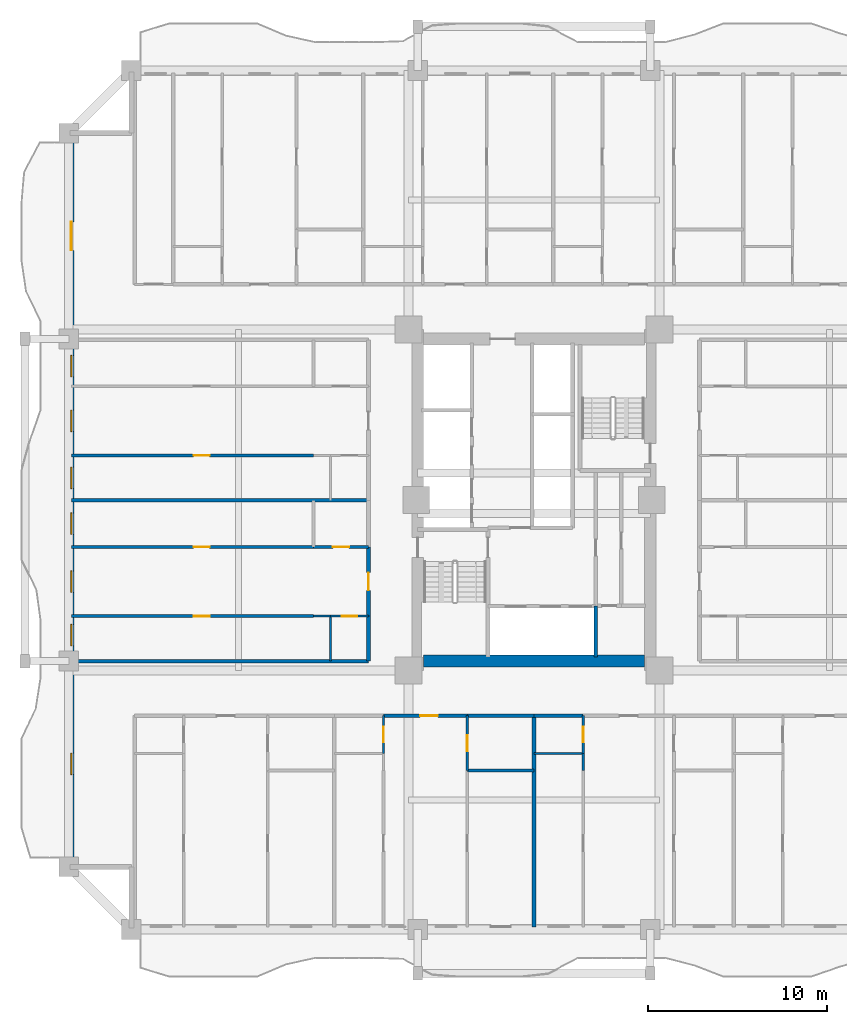
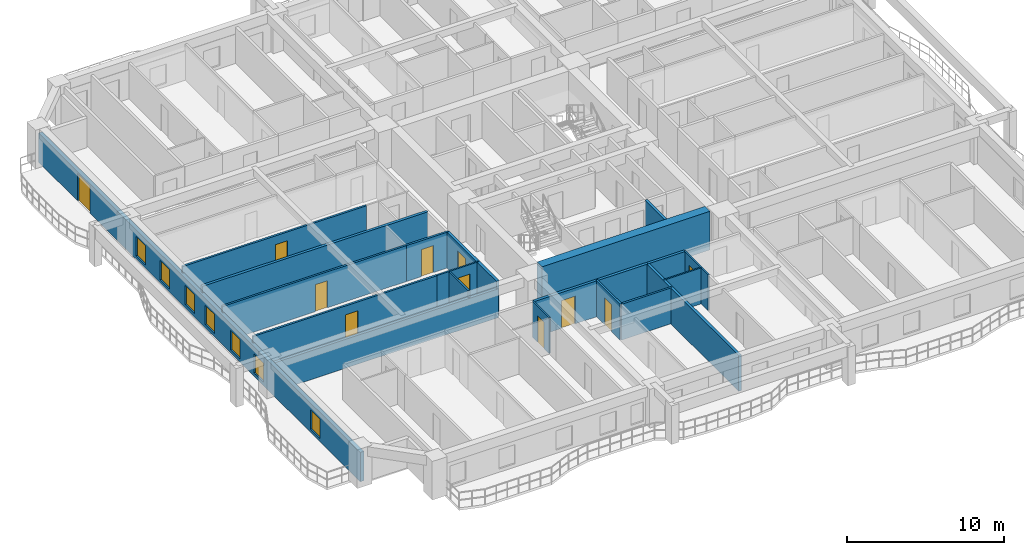
# One storey, part 3 of 16: 24 walls, 11 doors, 7 windows, 18 openings.
"""IFC4 building model written with IfcOpenShell, lengths in metres."""

from ifc_helpers import new_model, si_unit, direction, frame, frame_2d, origin, place, context, subcontext, project, spatial, rectangle, extrude, source, transform, mapped, material, layer, layer_set, type_object, element, fill, save


model = new_model("IFC4")

# Units and contexts
model_context = context("Model", 3, precision=1e-05, world=origin(), true_north=direction((0.0, 1.0)))
body_context = subcontext(model_context, "Body", "Model", "MODEL_VIEW")
ifc_project = project(units=[si_unit("LENGTHUNIT", "METRE"), si_unit("AREAUNIT", "SQUARE_METRE"), si_unit("VOLUMEUNIT", "CUBIC_METRE"), si_unit("PLANEANGLEUNIT", "RADIAN"), si_unit("MASSUNIT", "GRAM", prefix="KILO")], contexts=[model_context])

# Site, building, storey
site_placement = place(None, origin())
site = spatial("IfcSite", under=ifc_project, at=site_placement, CompositionType="ELEMENT")
building_placement = place(site_placement, origin())
building = spatial("IfcBuilding", under=site, at=building_placement, Name="Saelheon Loggia Tower", CompositionType="ELEMENT")
storey_placement = place(building_placement, frame((0.0, 0.0, 64.39990234375)))
storey = spatial("IfcBuildingStorey", under=building, at=storey_placement, Name="L20", CompositionType="ELEMENT", Elevation=64.39990234375)

# Wall
ifc_material_1 = material(Name="Concrete C60/75", Category="concrete")
ifc_layer_1 = layer(ifc_material_1, 0.64990234375)
ifc_layer_set_1 = layer_set([ifc_layer_1], Name="Concrete C60/75")
wall_type_1 = type_object("IfcWallType", Name="Wall_CoreShear_650", PredefinedType="SHEAR", material=ifc_layer_set_1)
wall_1_placement = place(storey_placement, frame((31.824951171875, 18.0, 0.0), z_axis=(0.0, 0.0, 1.0), x_axis=(1.0, 0.0, 0.0)))
element("IfcWall", 1, at=wall_1_placement, inside=storey, type_object=wall_type_1, Name="L20 Core Shear Wall South", PredefinedType="SHEAR", context=body_context, shape_type="SweptSolid", body=[
    extrude(rectangle(XDim=12.35009765625, YDim=0.64990234375, at=frame_2d((6.175048828125, 0.0))), origin(), (0.0, 0.0, 1.0), 3.0),
])

# Wall, openings, windows, door
ifc_material_2 = material(Name="Architectural Precast Concrete C40/50", Category="concrete")
ifc_layer_2 = layer(ifc_material_2, 0.280029296875)
ifc_layer_set_2 = layer_set([ifc_layer_2], Name="Architectural Precast Concrete C40/50")
wall_type_2 = type_object("IfcWallType", Name="Wall_Ext_Loggia_280", PredefinedType="SOLIDWALL", material=ifc_layer_set_2)
wall_2_placement = place(storey_placement, frame((12.139892578125, 6.5, 0.0), z_axis=(0.0, 0.0, 1.0), x_axis=(0.0, 1.0, 0.0)))
wall_2 = element("IfcWall", 2, at=wall_2_placement, inside=storey, type_object=wall_type_2, Name="L20 West Loggia Inner Wall", PredefinedType="SOLIDWALL", context=body_context, shape_type="SweptSolid", body=[
    extrude(rectangle(XDim=41.0, YDim=0.280029296875, at=frame_2d((20.5, 0.0))), origin(), (0.0, 0.0, 1.0), 2.280029296875),
])
opening_1_placement = place(wall_2_placement, frame((5.14990234375, 0.0, 0.25)))
opening_1 = element("IfcOpeningElement", 3, at=opening_1_placement, cuts=wall_2, Name="Opening WN-03", PredefinedType="OPENING", context=body_context, shape_type="SweptSolid", body=[
    extrude(rectangle(XDim=1.199951171875, YDim=1.5, at=frame_2d((0.60009765625, 0.75))), frame((0.0, 0.152099609375, 0.0), z_axis=(0.0, -1.0, 0.0), x_axis=(1.0, 0.0, 0.0)), (0.0, 0.0, 1.0), 0.303955078125),
])
opening_2_placement = place(wall_2_placement, frame((12.3515625, 0.0, 0.25)))
opening_2 = element("IfcOpeningElement", 4, at=opening_2_placement, cuts=wall_2, Name="Opening WN-03", PredefinedType="OPENING", context=body_context, shape_type="SweptSolid", body=[
    extrude(rectangle(XDim=1.199951171875, YDim=1.5, at=frame_2d((0.60009765625, 0.75))), frame((0.0, 0.152099609375, 0.0), z_axis=(0.0, -1.0, 0.0), x_axis=(1.0, 0.0, 0.0)), (0.0, 0.0, 1.0), 0.303955078125),
])
opening_3_placement = place(wall_2_placement, frame((15.343994140625, 0.0, 0.25)))
opening_3 = element("IfcOpeningElement", 5, at=opening_3_placement, cuts=wall_2, Name="Opening WN-03", PredefinedType="OPENING", context=body_context, shape_type="SweptSolid", body=[
    extrude(rectangle(XDim=1.199951171875, YDim=1.5, at=frame_2d((0.60009765625, 0.75))), frame((0.0, 0.152099609375, 0.0), z_axis=(0.0, -1.0, 0.0), x_axis=(1.0, 0.0, 0.0)), (0.0, 0.0, 1.0), 0.303955078125),
])
opening_4_placement = place(wall_2_placement, frame((18.574951171875, 0.0, 0.25)))
opening_4 = element("IfcOpeningElement", 6, at=opening_4_placement, cuts=wall_2, Name="Opening WN-03", PredefinedType="OPENING", context=body_context, shape_type="SweptSolid", body=[
    extrude(rectangle(XDim=1.199951171875, YDim=1.5, at=frame_2d((0.60009765625, 0.75))), frame((0.0, 0.152099609375, 0.0), z_axis=(0.0, -1.0, 0.0), x_axis=(1.0, 0.0, 0.0)), (0.0, 0.0, 1.0), 0.303955078125),
])
opening_5_placement = place(wall_2_placement, frame((21.131591796875, 0.0, 0.25)))
opening_5 = element("IfcOpeningElement", 7, at=opening_5_placement, cuts=wall_2, Name="Opening WN-03", PredefinedType="OPENING", context=body_context, shape_type="SweptSolid", body=[
    extrude(rectangle(XDim=1.199951171875, YDim=1.5, at=frame_2d((0.60009765625, 0.75))), frame((0.0, 0.152099609375, 0.0), z_axis=(0.0, -1.0, 0.0), x_axis=(1.0, 0.0, 0.0)), (0.0, 0.0, 1.0), 0.303955078125),
])
opening_6_placement = place(wall_2_placement, frame((24.319091796875, 0.0, 0.25)))
opening_6 = element("IfcOpeningElement", 8, at=opening_6_placement, cuts=wall_2, Name="Opening WN-03", PredefinedType="OPENING", context=body_context, shape_type="SweptSolid", body=[
    extrude(rectangle(XDim=1.199951171875, YDim=1.5, at=frame_2d((0.60009765625, 0.75))), frame((0.0, 0.152099609375, 0.0), z_axis=(0.0, -1.0, 0.0), x_axis=(1.0, 0.0, 0.0)), (0.0, 0.0, 1.0), 0.303955078125),
])
opening_7_placement = place(wall_2_placement, frame((27.3798828125, 0.0, 0.25)))
opening_7 = element("IfcOpeningElement", 9, at=opening_7_placement, cuts=wall_2, Name="Opening WN-03", PredefinedType="OPENING", context=body_context, shape_type="SweptSolid", body=[
    extrude(rectangle(XDim=1.199951171875, YDim=1.5, at=frame_2d((0.60009765625, 0.75))), frame((0.0, 0.152099609375, 0.0), z_axis=(0.0, -1.0, 0.0), x_axis=(1.0, 0.0, 0.0)), (0.0, 0.0, 1.0), 0.303955078125),
])
opening_8_placement = place(wall_2_placement, frame((34.449951171875, 0.0, 0.0)))
opening_8 = element("IfcOpeningElement", 10, at=opening_8_placement, cuts=wall_2, Name="Opening DLG-1", PredefinedType="OPENING", context=body_context, shape_type="SweptSolid", body=[
    extrude(rectangle(XDim=1.60009765625, YDim=2.14990234375, at=frame_2d((0.800048828125, 1.074951171875))), frame((0.0, 0.152099609375, 0.0), z_axis=(0.0, -1.0, 0.0), x_axis=(1.0, 0.0, 0.0)), (0.0, 0.0, 1.0), 0.303955078125),
])
ifc_material_3 = material(Name="Thermal-Break Aluminium and Triple Low-E Glass", Category="aluminium")
window_type = type_object("IfcWindowType", Name="Win_Bedroom_1200x1500", PartitioningType="SINGLE_PANEL", PredefinedType="WINDOW", material=ifc_material_3)
shared_shape_1 = source(origin(), body_context, "Body", "SweptSolid", [
    extrude(rectangle(XDim=1.199951171875, YDim=1.5, at=frame_2d((0.60009765625, 0.75))), frame((0.0, 0.030029296875, 0.0), z_axis=(0.0, -1.0, 0.0), x_axis=(1.0, 0.0, 0.0)), (0.0, 0.0, 1.0), 0.06005859375),
])
window_1_placement = place(opening_1_placement, origin())
window_1 = element("IfcWindow", 11, at=window_1_placement, inside=storey, type_object=window_type, Name="L20 W Dwelling Window 1", OverallHeight=1.5, OverallWidth=1.199951171875, PartitioningType="SINGLE_PANEL", PredefinedType="WINDOW", context=body_context, shape_type="MappedRepresentation", body=[
    mapped(shared_shape_1, transform((0.0, 0.0, 0.0), scale=1.0)),
])
fill(opening_1, window_1)
window_2_placement = place(opening_2_placement, origin())
window_2 = element("IfcWindow", 12, at=window_2_placement, inside=storey, type_object=window_type, Name="L20 W Dwelling Window 2", OverallHeight=1.5, OverallWidth=1.199951171875, PartitioningType="SINGLE_PANEL", PredefinedType="WINDOW", context=body_context, shape_type="MappedRepresentation", body=[
    mapped(shared_shape_1, transform((0.0, 0.0, 0.0), scale=1.0)),
])
fill(opening_2, window_2)
window_3_placement = place(opening_3_placement, origin())
window_3 = element("IfcWindow", 13, at=window_3_placement, inside=storey, type_object=window_type, Name="L20 W Dwelling Window 3", OverallHeight=1.5, OverallWidth=1.199951171875, PartitioningType="SINGLE_PANEL", PredefinedType="WINDOW", context=body_context, shape_type="MappedRepresentation", body=[
    mapped(shared_shape_1, transform((0.0, 0.0, 0.0), scale=1.0)),
])
fill(opening_3, window_3)
window_4_placement = place(opening_4_placement, origin())
window_4 = element("IfcWindow", 14, at=window_4_placement, inside=storey, type_object=window_type, Name="L20 W Dwelling Window 4", OverallHeight=1.5, OverallWidth=1.199951171875, PartitioningType="SINGLE_PANEL", PredefinedType="WINDOW", context=body_context, shape_type="MappedRepresentation", body=[
    mapped(shared_shape_1, transform((0.0, 0.0, 0.0), scale=1.0)),
])
fill(opening_4, window_4)
window_5_placement = place(opening_5_placement, origin())
window_5 = element("IfcWindow", 15, at=window_5_placement, inside=storey, type_object=window_type, Name="L20 W Dwelling Window 5", OverallHeight=1.5, OverallWidth=1.199951171875, PartitioningType="SINGLE_PANEL", PredefinedType="WINDOW", context=body_context, shape_type="MappedRepresentation", body=[
    mapped(shared_shape_1, transform((0.0, 0.0, 0.0), scale=1.0)),
])
fill(opening_5, window_5)
window_6_placement = place(opening_6_placement, origin())
window_6 = element("IfcWindow", 16, at=window_6_placement, inside=storey, type_object=window_type, Name="L20 W Dwelling Window 6", OverallHeight=1.5, OverallWidth=1.199951171875, PartitioningType="SINGLE_PANEL", PredefinedType="WINDOW", context=body_context, shape_type="MappedRepresentation", body=[
    mapped(shared_shape_1, transform((0.0, 0.0, 0.0), scale=1.0)),
])
fill(opening_6, window_6)
window_7_placement = place(opening_7_placement, origin())
window_7 = element("IfcWindow", 17, at=window_7_placement, inside=storey, type_object=window_type, Name="L20 W Dwelling Window 7", OverallHeight=1.5, OverallWidth=1.199951171875, PartitioningType="SINGLE_PANEL", PredefinedType="WINDOW", context=body_context, shape_type="MappedRepresentation", body=[
    mapped(shared_shape_1, transform((0.0, 0.0, 0.0), scale=1.0)),
])
fill(opening_7, window_7)
ifc_material_4 = material(Name="Thermal-Break Aluminium Sliding Glazed Door", Category="aluminium")
door_type_1 = type_object("IfcDoorType", Name="Door_LoggiaSlide_1600", OperationType="SLIDING_TO_LEFT", PredefinedType="DOOR", material=ifc_material_4)
shared_shape_2 = source(origin(), body_context, "Body", "SweptSolid", [
    extrude(rectangle(XDim=1.60009765625, YDim=2.14990234375, at=frame_2d((0.800048828125, 1.074951171875))), frame((0.0, 0.02490234375, 0.0), z_axis=(0.0, -1.0, 0.0), x_axis=(1.0, 0.0, 0.0)), (0.0, 0.0, 1.0), 0.050048828125),
])
door_1_placement = place(opening_8_placement, origin())
door_1 = element("IfcDoor", 18, at=door_1_placement, inside=storey, type_object=door_type_1, Name="L20 W Loggia Access Door", OperationType="SLIDING_TO_LEFT", OverallHeight=2.14990234375, OverallWidth=1.60009765625, PredefinedType="DOOR", context=body_context, shape_type="MappedRepresentation", body=[
    mapped(shared_shape_2, transform((0.0, 0.0, 0.0), scale=1.0)),
])
fill(opening_8, door_1)

# Wall
ifc_material_5 = material(Name="Lightweight Autoclaved Aerated Concrete Block and Acoustic Gypsum", Category="concrete")
ifc_layer_3 = layer(ifc_material_5, 0.14990234375)
ifc_layer_set_3 = layer_set([ifc_layer_3], Name="Lightweight Autoclaved Aerated Concrete Block and Acoustic Gypsum")
wall_type_3 = type_object("IfcWallType", Name="Wall_Part_150", PredefinedType="PARTITIONING", material=ifc_layer_set_3)
wall_3_placement = place(storey_placement, frame((34.277099609375, 11.8798828125, 0.0), z_axis=(0.0, 0.0, 1.0), x_axis=(1.0, 0.0, 0.0)))
element("IfcWall", 19, at=wall_3_placement, inside=storey, type_object=wall_type_3, Name="L20 S Partition V18", PredefinedType="PARTITIONING", context=body_context, shape_type="SweptSolid", body=[
    extrude(rectangle(XDim=3.722900390625, YDim=0.14990234375, at=frame_2d((1.861328125, 0.0))), origin(), (0.0, 0.0, 1.0), 2.7900390625),
])

# Wall, opening, door
wall_4_placement = place(storey_placement, frame((34.277099609375, 14.949951171875, 0.0), z_axis=(0.0, 0.0, 1.0), x_axis=(0.0, -1.0, 0.0)))
wall_4 = element("IfcWall", 20, at=wall_4_placement, inside=storey, type_object=wall_type_3, Name="L20 S Partition U22", PredefinedType="PARTITIONING", context=body_context, shape_type="SweptSolid", body=[
    extrude(rectangle(XDim=3.070068359375, YDim=0.14990234375, at=frame_2d((1.53515625, 0.0))), origin(), (0.0, 0.0, 1.0), 2.7900390625),
])
opening_9_placement = place(wall_4_placement, frame((1.0849609375, 0.0, 0.0)))
opening_9 = element("IfcOpeningElement", 21, at=opening_9_placement, cuts=wall_4, Name="Opening D-IN2", PredefinedType="OPENING", context=body_context, shape_type="SweptSolid", body=[
    extrude(rectangle(XDim=0.89990234375, YDim=2.10009765625, at=frame_2d((0.449951171875, 1.050048828125))), frame((0.0, 0.0869140625, 0.0), z_axis=(0.0, -1.0, 0.0), x_axis=(1.0, 0.0, 0.0)), (0.0, 0.0, 1.0), 0.173828125),
])
ifc_material_6 = material(Name="Engineered Oak Flush Door", Category="timber")
door_type_2 = type_object("IfcDoorType", Name="Door_Int_900", OperationType="NOTDEFINED", PredefinedType="DOOR", material=ifc_material_6)
shared_shape_3 = source(origin(), body_context, "Body", "SweptSolid", [
    extrude(rectangle(XDim=0.89990234375, YDim=2.10009765625, at=frame_2d((0.449951171875, 1.050048828125))), frame((0.0, 0.02490234375, 0.0), z_axis=(0.0, -1.0, 0.0), x_axis=(1.0, 0.0, 0.0)), (0.0, 0.0, 1.0), 0.050048828125),
])
door_2_placement = place(opening_9_placement, origin())
door_2 = element("IfcDoor", 22, at=door_2_placement, inside=storey, type_object=door_type_2, Name="Unit U02 Home Office Door", OperationType="SINGLE_SWING_RIGHT", OverallHeight=2.10009765625, OverallWidth=0.89990234375, PredefinedType="DOOR", context=body_context, shape_type="MappedRepresentation", body=[
    mapped(shared_shape_3, transform((0.0, 0.0, 0.0), scale=1.0)),
])
fill(opening_9, door_2)

wall_5_placement = place(storey_placement, frame((25.679931640625, 20.512939453125, 0.0), z_axis=(0.0, 0.0, 1.0), x_axis=(-1.0, 0.0, 0.0)))
wall_5 = element("IfcWall", 23, at=wall_5_placement, inside=storey, type_object=wall_type_3, Name="L20 W Partition U10", PredefinedType="PARTITIONING", context=body_context, shape_type="SweptSolid", body=[
    extrude(rectangle(XDim=13.530029296875, YDim=0.14990234375, at=frame_2d((6.76513671875, 0.0))), origin(), (0.0, 0.0, 1.0), 2.7900390625),
])
opening_10_placement = place(wall_5_placement, frame((5.80859375, 0.0, 0.0)))
opening_10 = element("IfcOpeningElement", 24, at=opening_10_placement, cuts=wall_5, Name="Opening D-IN2", PredefinedType="OPENING", context=body_context, shape_type="SweptSolid", body=[
    extrude(rectangle(XDim=0.89990234375, YDim=2.10009765625, at=frame_2d((0.449951171875, 1.050048828125))), frame((0.0, 0.0869140625, 0.0), z_axis=(0.0, -1.0, 0.0), x_axis=(1.0, 0.0, 0.0)), (0.0, 0.0, 1.0), 0.173828125),
])
door_3_placement = place(opening_10_placement, origin())
door_3 = element("IfcDoor", 25, at=door_3_placement, inside=storey, type_object=door_type_2, Name="Unit U09 Kitchen Door", OperationType="SINGLE_SWING_LEFT", OverallHeight=2.10009765625, OverallWidth=0.89990234375, PredefinedType="DOOR", context=body_context, shape_type="MappedRepresentation", body=[
    mapped(shared_shape_3, transform((0.0, 0.0, 0.0), scale=1.0)),
])
fill(opening_10, door_3)

wall_6_placement = place(storey_placement, frame((28.75, 24.375, 0.0), z_axis=(0.0, 0.0, 1.0), x_axis=(-1.0, 0.0, 0.0)))
wall_6 = element("IfcWall", 26, at=wall_6_placement, inside=storey, type_object=wall_type_3, Name="L20 W Partition U11", PredefinedType="PARTITIONING", context=body_context, shape_type="SweptSolid", body=[
    extrude(rectangle(XDim=3.070068359375, YDim=0.14990234375, at=frame_2d((1.53515625, 0.0))), origin(), (0.0, 0.0, 1.0), 2.7900390625),
])
opening_11_placement = place(wall_6_placement, frame((1.0849609375, 0.0, 0.0)))
opening_11 = element("IfcOpeningElement", 27, at=opening_11_placement, cuts=wall_6, Name="Opening D-IN2", PredefinedType="OPENING", context=body_context, shape_type="SweptSolid", body=[
    extrude(rectangle(XDim=0.89990234375, YDim=2.10009765625, at=frame_2d((0.449951171875, 1.050048828125))), frame((0.0, 0.0869140625, 0.0), z_axis=(0.0, -1.0, 0.0), x_axis=(1.0, 0.0, 0.0)), (0.0, 0.0, 1.0), 0.173828125),
])
door_4_placement = place(opening_11_placement, origin())
door_4 = element("IfcDoor", 28, at=door_4_placement, inside=storey, type_object=door_type_2, Name="Unit U09 Dressing Closet Door", OperationType="SINGLE_SWING_RIGHT", OverallHeight=2.10009765625, OverallWidth=0.89990234375, PredefinedType="DOOR", context=body_context, shape_type="MappedRepresentation", body=[
    mapped(shared_shape_3, transform((0.0, 0.0, 0.0), scale=1.0)),
])
fill(opening_11, door_4)

wall_7_placement = place(storey_placement, frame((25.679931640625, 24.375, 0.0), z_axis=(0.0, 0.0, 1.0), x_axis=(-1.0, 0.0, 0.0)))
wall_7 = element("IfcWall", 29, at=wall_7_placement, inside=storey, type_object=wall_type_3, Name="L20 W Partition U12", PredefinedType="PARTITIONING", context=body_context, shape_type="SweptSolid", body=[
    extrude(rectangle(XDim=13.530029296875, YDim=0.14990234375, at=frame_2d((6.76513671875, 0.0))), origin(), (0.0, 0.0, 1.0), 2.7900390625),
])
opening_12_placement = place(wall_7_placement, frame((5.80859375, 0.0, 0.0)))
opening_12 = element("IfcOpeningElement", 30, at=opening_12_placement, cuts=wall_7, Name="Opening D-IN2", PredefinedType="OPENING", context=body_context, shape_type="SweptSolid", body=[
    extrude(rectangle(XDim=0.89990234375, YDim=2.10009765625, at=frame_2d((0.449951171875, 1.050048828125))), frame((0.0, 0.0869140625, 0.0), z_axis=(0.0, -1.0, 0.0), x_axis=(1.0, 0.0, 0.0)), (0.0, 0.0, 1.0), 0.173828125),
])
door_5_placement = place(opening_12_placement, origin())
door_5 = element("IfcDoor", 31, at=door_5_placement, inside=storey, type_object=door_type_2, Name="Unit U09 Bedroom 1 Door", OperationType="SINGLE_SWING_LEFT", OverallHeight=2.10009765625, OverallWidth=0.89990234375, PredefinedType="DOOR", context=body_context, shape_type="MappedRepresentation", body=[
    mapped(shared_shape_3, transform((0.0, 0.0, 0.0), scale=1.0)),
])
fill(opening_12, door_5)

wall_8_placement = place(storey_placement, frame((25.679931640625, 29.488037109375, 0.0), z_axis=(0.0, 0.0, 1.0), x_axis=(-1.0, 0.0, 0.0)))
wall_8 = element("IfcWall", 32, at=wall_8_placement, inside=storey, type_object=wall_type_3, Name="L20 W Partition U21", PredefinedType="PARTITIONING", context=body_context, shape_type="SweptSolid", body=[
    extrude(rectangle(XDim=13.530029296875, YDim=0.14990234375, at=frame_2d((6.76513671875, 0.0))), origin(), (0.0, 0.0, 1.0), 2.7900390625),
])
opening_13_placement = place(wall_8_placement, frame((5.80859375, 0.0, 0.0)))
opening_13 = element("IfcOpeningElement", 33, at=opening_13_placement, cuts=wall_8, Name="Opening D-IN2", PredefinedType="OPENING", context=body_context, shape_type="SweptSolid", body=[
    extrude(rectangle(XDim=0.89990234375, YDim=2.10009765625, at=frame_2d((0.449951171875, 1.050048828125))), frame((0.0, 0.0869140625, 0.0), z_axis=(0.0, -1.0, 0.0), x_axis=(1.0, 0.0, 0.0)), (0.0, 0.0, 1.0), 0.173828125),
])
door_6_placement = place(opening_13_placement, origin())
door_6 = element("IfcDoor", 34, at=door_6_placement, inside=storey, type_object=door_type_2, Name="Unit U10 Kitchen Door", OperationType="SINGLE_SWING_RIGHT", OverallHeight=2.10009765625, OverallWidth=0.89990234375, PredefinedType="DOOR", context=body_context, shape_type="MappedRepresentation", body=[
    mapped(shared_shape_3, transform((0.0, 0.0, 0.0), scale=1.0)),
])
fill(opening_13, door_6)

ifc_material_7 = material(Name="Double Acoustic Stud and Fireboard Partition", Category="gypsum")
ifc_layer_4 = layer(ifc_material_7, 0.199951171875)
ifc_layer_set_4 = layer_set([ifc_layer_4], Name="Double Acoustic Stud and Fireboard Partition")
wall_type_4 = type_object("IfcWallType", Name="Wall_Party_200", PredefinedType="PARTITIONING", material=ifc_layer_set_4)
wall_9_placement = place(storey_placement, frame((29.590087890625, 14.949951171875, 0.0), z_axis=(0.0, 0.0, 1.0), x_axis=(1.0, 0.0, 0.0)))
wall_9 = element("IfcWall", 35, at=wall_9_placement, inside=storey, type_object=wall_type_4, Name="L20 S Partition V15", PredefinedType="PARTITIONING", context=body_context, shape_type="SweptSolid", body=[
    extrude(rectangle(XDim=4.68701171875, YDim=0.199951171875, at=frame_2d((2.343505859375, 0.0))), origin(), (0.0, 0.0, 1.0), 2.7900390625),
])
opening_14_placement = place(wall_9_placement, frame((2.04150390625, 0.0, 0.0)))
opening_14 = element("IfcOpeningElement", 36, at=opening_14_placement, cuts=wall_9, Name="Opening D-FD1", PredefinedType="OPENING", context=body_context, shape_type="SweptSolid", body=[
    extrude(rectangle(XDim=1.0, YDim=2.14990234375, at=frame_2d((0.5, 1.074951171875))), frame((0.0, 0.112060546875, 0.0), z_axis=(0.0, -1.0, 0.0), x_axis=(1.0, 0.0, 0.0)), (0.0, 0.0, 1.0), 0.223876953125),
])
ifc_material_8 = material(Name="Fire-Rated Engineered Timber Entrance Door", Category="wood")
door_type_3 = type_object("IfcDoorType", Name="Door_Flat_FD30S", OperationType="NOTDEFINED", PredefinedType="DOOR", material=ifc_material_8)
shared_shape_4 = source(origin(), body_context, "Body", "SweptSolid", [
    extrude(rectangle(XDim=1.0, YDim=2.14990234375, at=frame_2d((0.5, 1.074951171875))), frame((0.0, 0.02490234375, 0.0), z_axis=(0.0, -1.0, 0.0), x_axis=(1.0, 0.0, 0.0)), (0.0, 0.0, 1.0), 0.050048828125),
])
door_7_placement = place(opening_14_placement, origin())
door_7 = element("IfcDoor", 37, at=door_7_placement, inside=storey, type_object=door_type_3, Name="Unit U02 Entrance Door", OperationType="SINGLE_SWING_LEFT", OverallHeight=2.14990234375, OverallWidth=1.0, PredefinedType="DOOR", context=body_context, shape_type="MappedRepresentation", body=[
    mapped(shared_shape_4, transform((0.0, 0.0, 0.0), scale=1.0)),
])
fill(opening_14, door_7)

# Walls
wall_10_placement = place(storey_placement, frame((34.277099609375, 14.949951171875, 0.0), z_axis=(0.0, 0.0, 1.0), x_axis=(1.0, 0.0, 0.0)))
element("IfcWall", 38, at=wall_10_placement, inside=storey, type_object=wall_type_4, Name="L20 S Partition V16", PredefinedType="PARTITIONING", context=body_context, shape_type="SweptSolid", body=[
    extrude(rectangle(XDim=3.722900390625, YDim=0.199951171875, at=frame_2d((1.861328125, 0.0))), origin(), (0.0, 0.0, 1.0), 2.7900390625),
])
wall_11_placement = place(storey_placement, frame((38.0, 14.949951171875, 0.0), z_axis=(0.0, 0.0, 1.0), x_axis=(0.0, -1.0, 0.0)))
element("IfcWall", 39, at=wall_11_placement, inside=storey, type_object=wall_type_4, Name="L20 S Partition U24", PredefinedType="PARTITIONING", context=body_context, shape_type="SweptSolid", body=[
    extrude(rectangle(XDim=11.800048828125, YDim=0.199951171875, at=frame_2d((5.89990234375, 0.0))), origin(), (0.0, 0.0, 1.0), 2.7900390625),
])
wall_12_placement = place(storey_placement, frame((38.0, 14.949951171875, 0.0), z_axis=(0.0, 0.0, 1.0), x_axis=(1.0, 0.0, 0.0)))
element("IfcWall", 40, at=wall_12_placement, inside=storey, type_object=wall_type_4, Name="L20 S Partition V25", PredefinedType="PARTITIONING", context=body_context, shape_type="SweptSolid", body=[
    extrude(rectangle(XDim=2.75, YDim=0.199951171875, at=frame_2d((1.375, 0.0))), origin(), (0.0, 0.0, 1.0), 2.7900390625),
])
wall_13_placement = place(storey_placement, frame((28.75, 18.0, 0.0), z_axis=(0.0, 0.0, 1.0), x_axis=(-1.0, 0.0, 0.0)))
element("IfcWall", 41, at=wall_13_placement, inside=storey, type_object=wall_type_4, Name="L20 W Partition U01", PredefinedType="PARTITIONING", context=body_context, shape_type="SweptSolid", body=[
    extrude(rectangle(XDim=16.60009765625, YDim=0.199951171875, at=frame_2d((8.300048828125, 0.0))), origin(), (0.0, 0.0, 1.0), 2.239990234375),
])
wall_14_placement = place(storey_placement, frame((28.75, 18.0, 0.0), z_axis=(0.0, 0.0, 1.0), x_axis=(0.0, 1.0, 0.0)))
element("IfcWall", 42, at=wall_14_placement, inside=storey, type_object=wall_type_4, Name="L20 W Partition V03", PredefinedType="PARTITIONING", context=body_context, shape_type="SweptSolid", body=[
    extrude(rectangle(XDim=2.512939453125, YDim=0.199951171875, at=frame_2d((1.25634765625, 0.0))), origin(), (0.0, 0.0, 1.0), 2.7900390625),
])

# Wall, opening, door
wall_15_placement = place(storey_placement, frame((28.75, 20.512939453125, 0.0), z_axis=(0.0, 0.0, 1.0), x_axis=(0.0, 1.0, 0.0)))
wall_15 = element("IfcWall", 43, at=wall_15_placement, inside=storey, type_object=wall_type_4, Name="L20 W Partition V04", PredefinedType="PARTITIONING", context=body_context, shape_type="SweptSolid", body=[
    extrude(rectangle(XDim=3.862060546875, YDim=0.199951171875, at=frame_2d((1.93115234375, 0.0))), origin(), (0.0, 0.0, 1.0), 2.7900390625),
])
opening_15_placement = place(wall_15_placement, frame((1.430908203125, 0.0, 0.0)))
opening_15 = element("IfcOpeningElement", 44, at=opening_15_placement, cuts=wall_15, Name="Opening D-FD1", PredefinedType="OPENING", context=body_context, shape_type="SweptSolid", body=[
    extrude(rectangle(XDim=1.0, YDim=2.14990234375, at=frame_2d((0.5, 1.074951171875))), frame((0.0, 0.112060546875, 0.0), z_axis=(0.0, -1.0, 0.0), x_axis=(1.0, 0.0, 0.0)), (0.0, 0.0, 1.0), 0.223876953125),
])
door_8_placement = place(opening_15_placement, origin())
door_8 = element("IfcDoor", 45, at=door_8_placement, inside=storey, type_object=door_type_3, Name="Unit U09 Entrance Door", OperationType="SINGLE_SWING_LEFT", OverallHeight=2.14990234375, OverallWidth=1.0, PredefinedType="DOOR", context=body_context, shape_type="MappedRepresentation", body=[
    mapped(shared_shape_4, transform((0.0, 0.0, 0.0), scale=1.0)),
])
fill(opening_15, door_8)

# Walls
wall_16_placement = place(storey_placement, frame((28.75, 26.97509765625, 0.0), z_axis=(0.0, 0.0, 1.0), x_axis=(-1.0, 0.0, 0.0)))
element("IfcWall", 46, at=wall_16_placement, inside=storey, type_object=wall_type_4, Name="L20 W Partition U13", PredefinedType="PARTITIONING", context=body_context, shape_type="SweptSolid", body=[
    extrude(rectangle(XDim=16.60009765625, YDim=0.199951171875, at=frame_2d((8.300048828125, 0.0))), origin(), (0.0, 0.0, 1.0), 2.7900390625),
])
ifc_material_9 = material(Name="Concrete C40/50", Category="concrete")
ifc_layer_5 = layer(ifc_material_9, 0.199951171875)
ifc_layer_set_5 = layer_set([ifc_layer_5], Name="Concrete C40/50")
wall_type_5 = type_object("IfcWallType", Name="Wall_Shaft_200", PredefinedType="PARTITIONING", material=ifc_layer_set_5)
wall_17_placement = place(storey_placement, frame((41.449951171875, 18.219970703125, 0.0), z_axis=(0.0, 0.0, 1.0), x_axis=(0.0, 1.0, 0.0)))
element("IfcWall", 47, at=wall_17_placement, inside=storey, type_object=wall_type_5, Name="CW-INT-L20-BOH-W0", PredefinedType="PARTITIONING", context=body_context, shape_type="SweptSolid", body=[
    extrude(rectangle(XDim=2.860107421875, YDim=0.199951171875, at=frame_2d((1.43017578125, 0.0))), origin(), (0.0, 0.0, 1.0), 2.7900390625),
])

# Wall, opening, door
ifc_material_10 = material(Name="Moisture-Resistant Cement Board Partition", Category="gypsum")
ifc_layer_6 = layer(ifc_material_10, 0.1201171875)
ifc_layer_set_6 = layer_set([ifc_layer_6], Name="Moisture-Resistant Cement Board Partition")
wall_type_6 = type_object("IfcWallType", Name="Wall_WetPart_120", PredefinedType="PARTITIONING", material=ifc_layer_set_6)
wall_18_placement = place(storey_placement, frame((29.590087890625, 14.949951171875, 0.0), z_axis=(0.0, 0.0, 1.0), x_axis=(0.0, -1.0, 0.0)))
wall_18 = element("IfcWall", 48, at=wall_18_placement, inside=storey, type_object=wall_type_6, Name="L20 S Partition U19", PredefinedType="PARTITIONING", context=body_context, shape_type="SweptSolid", body=[
    extrude(rectangle(XDim=2.119873046875, YDim=0.1201171875, at=frame_2d((1.06005859375, 0.0))), origin(), (0.0, 0.0, 1.0), 2.7900390625),
])
opening_16_placement = place(wall_18_placement, frame((0.635009765625, 0.0, 0.0)))
opening_16 = element("IfcOpeningElement", 49, at=opening_16_placement, cuts=wall_18, Name="Opening D-BT1", PredefinedType="OPENING", context=body_context, shape_type="SweptSolid", body=[
    extrude(rectangle(XDim=0.85009765625, YDim=2.050048828125, at=frame_2d((0.425048828125, 1.02490234375))), frame((0.0, 0.072021484375, 0.0), z_axis=(0.0, -1.0, 0.0), x_axis=(1.0, 0.0, 0.0)), (0.0, 0.0, 1.0), 0.14404296875),
])
ifc_material_11 = material(Name="Moisture-Resistant Laminate Timber Door", Category="wood")
door_type_4 = type_object("IfcDoorType", Name="Door_Bath_850", OperationType="NOTDEFINED", PredefinedType="DOOR", material=ifc_material_11)
shared_shape_5 = source(origin(), body_context, "Body", "SweptSolid", [
    extrude(rectangle(XDim=0.85009765625, YDim=2.050048828125, at=frame_2d((0.425048828125, 1.02490234375))), frame((0.0, 0.02490234375, 0.0), z_axis=(0.0, -1.0, 0.0), x_axis=(1.0, 0.0, 0.0)), (0.0, 0.0, 1.0), 0.050048828125),
])
door_9_placement = place(opening_16_placement, origin())
door_9 = element("IfcDoor", 50, at=door_9_placement, inside=storey, type_object=door_type_4, Name="Unit U02 Bathroom Door", OperationType="SINGLE_SWING_RIGHT", OverallHeight=2.050048828125, OverallWidth=0.85009765625, PredefinedType="DOOR", context=body_context, shape_type="MappedRepresentation", body=[
    mapped(shared_shape_5, transform((0.0, 0.0, 0.0), scale=1.0)),
])
fill(opening_16, door_9)

# Wall
wall_19_placement = place(storey_placement, frame((38.0, 12.830078125, 0.0), z_axis=(0.0, 0.0, 1.0), x_axis=(1.0, 0.0, 0.0)))
element("IfcWall", 51, at=wall_19_placement, inside=storey, type_object=wall_type_6, Name="L20 S Partition V28", PredefinedType="PARTITIONING", context=body_context, shape_type="SweptSolid", body=[
    extrude(rectangle(XDim=2.75, YDim=0.1201171875, at=frame_2d((1.375, 0.0))), origin(), (0.0, 0.0, 1.0), 2.7900390625),
])

# Wall, opening, door
wall_20_placement = place(storey_placement, frame((40.75, 14.949951171875, 0.0), z_axis=(0.0, 0.0, 1.0), x_axis=(0.0, -1.0, 0.0)))
wall_20 = element("IfcWall", 52, at=wall_20_placement, inside=storey, type_object=wall_type_6, Name="L20 S Partition U30", PredefinedType="PARTITIONING", context=body_context, shape_type="SweptSolid", body=[
    extrude(rectangle(XDim=2.119873046875, YDim=0.1201171875, at=frame_2d((1.06005859375, 0.0))), origin(), (0.0, 0.0, 1.0), 2.7900390625),
])
opening_17_placement = place(wall_20_placement, frame((0.635009765625, 0.0, 0.0)))
opening_17 = element("IfcOpeningElement", 53, at=opening_17_placement, cuts=wall_20, Name="Opening D-BT1", PredefinedType="OPENING", context=body_context, shape_type="SweptSolid", body=[
    extrude(rectangle(XDim=0.85009765625, YDim=2.050048828125, at=frame_2d((0.425048828125, 1.02490234375))), frame((0.0, 0.072021484375, 0.0), z_axis=(0.0, -1.0, 0.0), x_axis=(1.0, 0.0, 0.0)), (0.0, 0.0, 1.0), 0.14404296875),
])
door_10_placement = place(opening_17_placement, origin())
door_10 = element("IfcDoor", 54, at=door_10_placement, inside=storey, type_object=door_type_4, Name="Unit U03 Bathroom Door", OperationType="SINGLE_SWING_LEFT", OverallHeight=2.050048828125, OverallWidth=0.85009765625, PredefinedType="DOOR", context=body_context, shape_type="MappedRepresentation", body=[
    mapped(shared_shape_5, transform((0.0, 0.0, 0.0), scale=1.0)),
])
fill(opening_17, door_10)

# Walls
wall_21_placement = place(storey_placement, frame((40.75, 12.830078125, 0.0), z_axis=(0.0, 0.0, 1.0), x_axis=(0.0, -1.0, 0.0)))
element("IfcWall", 55, at=wall_21_placement, inside=storey, type_object=wall_type_6, Name="L20 S Partition U31", PredefinedType="PARTITIONING", context=body_context, shape_type="SweptSolid", body=[
    extrude(rectangle(XDim=0.9501953125, YDim=0.1201171875, at=frame_2d((0.47509765625, 0.0))), origin(), (0.0, 0.0, 1.0), 2.7900390625),
])
wall_22_placement = place(storey_placement, frame((26.6298828125, 18.0, 0.0), z_axis=(0.0, 0.0, 1.0), x_axis=(0.0, 1.0, 0.0)))
element("IfcWall", 56, at=wall_22_placement, inside=storey, type_object=wall_type_6, Name="L20 W Partition V06", PredefinedType="PARTITIONING", context=body_context, shape_type="SweptSolid", body=[
    extrude(rectangle(XDim=2.512939453125, YDim=0.1201171875, at=frame_2d((1.25634765625, 0.0))), origin(), (0.0, 0.0, 1.0), 2.7900390625),
])

# Wall, opening, door
wall_23_placement = place(storey_placement, frame((28.75, 20.512939453125, 0.0), z_axis=(0.0, 0.0, 1.0), x_axis=(-1.0, 0.0, 0.0)))
wall_23 = element("IfcWall", 57, at=wall_23_placement, inside=storey, type_object=wall_type_6, Name="L20 W Partition U08", PredefinedType="PARTITIONING", context=body_context, shape_type="SweptSolid", body=[
    extrude(rectangle(XDim=2.1201171875, YDim=0.1201171875, at=frame_2d((1.06005859375, 0.0))), origin(), (0.0, 0.0, 1.0), 2.7900390625),
])
opening_18_placement = place(wall_23_placement, frame((0.635009765625, 0.0, 0.0)))
opening_18 = element("IfcOpeningElement", 58, at=opening_18_placement, cuts=wall_23, Name="Opening D-BT1", PredefinedType="OPENING", context=body_context, shape_type="SweptSolid", body=[
    extrude(rectangle(XDim=0.85009765625, YDim=2.050048828125, at=frame_2d((0.425048828125, 1.02490234375))), frame((0.0, 0.072021484375, 0.0), z_axis=(0.0, -1.0, 0.0), x_axis=(1.0, 0.0, 0.0)), (0.0, 0.0, 1.0), 0.14404296875),
])
door_11_placement = place(opening_18_placement, origin())
door_11 = element("IfcDoor", 59, at=door_11_placement, inside=storey, type_object=door_type_4, Name="Unit U09 Bathroom Door", OperationType="SINGLE_SWING_RIGHT", OverallHeight=2.050048828125, OverallWidth=0.85009765625, PredefinedType="DOOR", context=body_context, shape_type="MappedRepresentation", body=[
    mapped(shared_shape_5, transform((0.0, 0.0, 0.0), scale=1.0)),
])
fill(opening_18, door_11)

# Wall
wall_24_placement = place(storey_placement, frame((26.6298828125, 20.512939453125, 0.0), z_axis=(0.0, 0.0, 1.0), x_axis=(-1.0, 0.0, 0.0)))
element("IfcWall", 60, at=wall_24_placement, inside=storey, type_object=wall_type_6, Name="L20 W Partition U09", PredefinedType="PARTITIONING", context=body_context, shape_type="SweptSolid", body=[
    extrude(rectangle(XDim=0.949951171875, YDim=0.1201171875, at=frame_2d((0.47509765625, 0.0))), origin(), (0.0, 0.0, 1.0), 2.7900390625),
])

save(model, "model.ifc")
